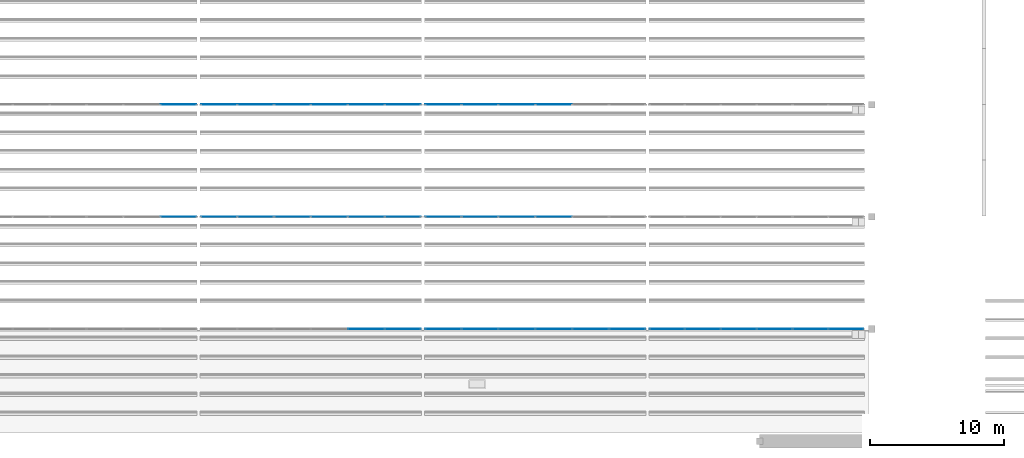
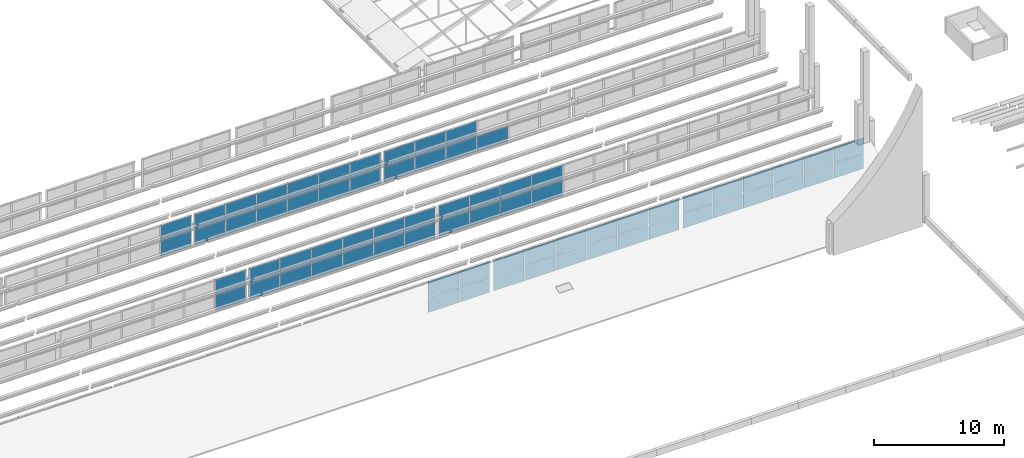
# One storey, part 83 of 116: 71 plates, 9 elements without a shape of their own.
"""IFC4 building model written with IfcOpenShell, lengths in metres."""

from ifc_helpers import new_model, si_unit, direction, frame, origin, origin_2d, place, context, subcontext, project, spatial, rectangle, extrude, material, layer, layer_set, type_object, element, aggregate, save


model = new_model("IFC4")

# Units and contexts
model_context = context("Model", 3, precision=1e-05, world=origin(), true_north=direction((0.0, 1.0)))
body_context = subcontext(model_context, "Body", "Model", "MODEL_VIEW")
ifc_project = project(units=[si_unit("LENGTHUNIT", "METRE"), si_unit("AREAUNIT", "SQUARE_METRE"), si_unit("VOLUMEUNIT", "CUBIC_METRE"), si_unit("PLANEANGLEUNIT", "RADIAN"), si_unit("MASSUNIT", "GRAM", prefix="KILO")], contexts=[model_context])

# Site, building, storey
site_placement = place(None, origin())
site = spatial("IfcSite", under=ifc_project, at=site_placement, CompositionType="ELEMENT")
building_placement = place(site_placement, origin())
building = spatial("IfcBuilding", under=site, at=building_placement, Name="Fescue Hill Polytechnic", CompositionType="ELEMENT")
storey_placement = place(building_placement, frame((0.0, 0.0, 13.5)))
storey = spatial("IfcBuildingStorey", under=building, at=storey_placement, Name="L03", CompositionType="ELEMENT", Elevation=13.5)

# Curtain wall, plates
ifc_material_1 = material(Name="Aluminium and glass", Category="aluminium")
curtain_wall_type = type_object("IfcCurtainWallType", Name="Sawtooth north glazing curtain wall", PredefinedType="NOTDEFINED", material=ifc_material_1)
curtain_wall_1_placement = place(storey_placement, origin())
curtain_wall_1 = element("IfcCurtainWall", 1, at=curtain_wall_1_placement, inside=storey, type_object=curtain_wall_type, Name="Sawtooth 1 north glazing bay 5", PredefinedType="NOTDEFINED")
ifc_material_2 = material(Name="Glass", Category="glass")
ifc_layer = layer(ifc_material_2, 0.028076171875)
ifc_layer_set = layer_set([ifc_layer], Name="Glass")
plate_type = type_object("IfcPlateType", Name="Curtain wall glazing panel 28", PredefinedType="CURTAIN_PANEL", material=ifc_layer_set)
plate_1_placement = place(storey_placement, frame((79.739990234375, 25.199951171875, 0.06005859375), z_axis=(0.0, 0.0, 1.0), x_axis=(1.0, 0.0, 0.0)))
plate_1 = element("IfcPlate", 2, at=plate_1_placement, type_object=plate_type, Name="CW5 panel 5.1", PredefinedType="CURTAIN_PANEL", context=body_context, shape_type="SweptSolid", body=[
    extrude(rectangle(XDim=2.699951171875, YDim=0.028076171875, at=origin_2d()), origin(), (0.0, 0.0, 1.0), 1.409912109375),
])
plate_2_placement = place(storey_placement, frame((79.739990234375, 25.199951171875, 1.5302734375), z_axis=(0.0, 0.0, 1.0), x_axis=(1.0, 0.0, 0.0)))
plate_2 = element("IfcPlate", 3, at=plate_2_placement, type_object=plate_type, Name="CW5 panel 5.2", PredefinedType="CURTAIN_PANEL", context=body_context, shape_type="SweptSolid", body=[
    extrude(rectangle(XDim=2.699951171875, YDim=0.028076171875, at=origin_2d()), origin(), (0.0, 0.0, 1.0), 1.409912109375),
])
plate_3_placement = place(storey_placement, frame((82.485107421875, 25.199951171875, 0.06005859375), z_axis=(0.0, 0.0, 1.0), x_axis=(1.0, 0.0, 0.0)))
plate_3 = element("IfcPlate", 4, at=plate_3_placement, type_object=plate_type, Name="CW5 panel 6.1", PredefinedType="CURTAIN_PANEL", context=body_context, shape_type="SweptSolid", body=[
    extrude(rectangle(XDim=2.669921875, YDim=0.028076171875, at=origin_2d()), origin(), (0.0, 0.0, 1.0), 1.409912109375),
])
plate_4_placement = place(storey_placement, frame((82.485107421875, 25.199951171875, 1.5302734375), z_axis=(0.0, 0.0, 1.0), x_axis=(1.0, 0.0, 0.0)))
plate_4 = element("IfcPlate", 5, at=plate_4_placement, type_object=plate_type, Name="CW5 panel 6.2", PredefinedType="CURTAIN_PANEL", context=body_context, shape_type="SweptSolid", body=[
    extrude(rectangle(XDim=2.669921875, YDim=0.028076171875, at=origin_2d()), origin(), (0.0, 0.0, 1.0), 1.409912109375),
])
aggregate(curtain_wall_1, [plate_1, plate_2, plate_3, plate_4])

curtain_wall_2_placement = place(storey_placement, origin())
curtain_wall_2 = element("IfcCurtainWall", 6, at=curtain_wall_2_placement, inside=storey, type_object=curtain_wall_type, Name="Sawtooth 1 north glazing bay 6", PredefinedType="NOTDEFINED")
plate_5_placement = place(storey_placement, frame((85.514892578125, 25.199951171875, 0.06005859375), z_axis=(0.0, 0.0, 1.0), x_axis=(1.0, 0.0, 0.0)))
plate_5 = element("IfcPlate", 7, at=plate_5_placement, type_object=plate_type, Name="CW6 panel 1.1", PredefinedType="CURTAIN_PANEL", context=body_context, shape_type="SweptSolid", body=[
    extrude(rectangle(XDim=2.669921875, YDim=0.028076171875, at=origin_2d()), origin(), (0.0, 0.0, 1.0), 1.409912109375),
])
plate_6_placement = place(storey_placement, frame((85.514892578125, 25.199951171875, 1.5302734375), z_axis=(0.0, 0.0, 1.0), x_axis=(1.0, 0.0, 0.0)))
plate_6 = element("IfcPlate", 8, at=plate_6_placement, type_object=plate_type, Name="CW6 panel 1.2", PredefinedType="CURTAIN_PANEL", context=body_context, shape_type="SweptSolid", body=[
    extrude(rectangle(XDim=2.669921875, YDim=0.028076171875, at=origin_2d()), origin(), (0.0, 0.0, 1.0), 1.409912109375),
])
plate_7_placement = place(storey_placement, frame((88.260009765625, 25.199951171875, 0.06005859375), z_axis=(0.0, 0.0, 1.0), x_axis=(1.0, 0.0, 0.0)))
plate_7 = element("IfcPlate", 9, at=plate_7_placement, type_object=plate_type, Name="CW6 panel 2.1", PredefinedType="CURTAIN_PANEL", context=body_context, shape_type="SweptSolid", body=[
    extrude(rectangle(XDim=2.699951171875, YDim=0.028076171875, at=origin_2d()), origin(), (0.0, 0.0, 1.0), 1.409912109375),
])
plate_8_placement = place(storey_placement, frame((88.260009765625, 25.199951171875, 1.5302734375), z_axis=(0.0, 0.0, 1.0), x_axis=(1.0, 0.0, 0.0)))
plate_8 = element("IfcPlate", 10, at=plate_8_placement, type_object=plate_type, Name="CW6 panel 2.2", PredefinedType="CURTAIN_PANEL", context=body_context, shape_type="SweptSolid", body=[
    extrude(rectangle(XDim=2.699951171875, YDim=0.028076171875, at=origin_2d()), origin(), (0.0, 0.0, 1.0), 1.409912109375),
])
plate_9_placement = place(storey_placement, frame((91.02001953125, 25.199951171875, 0.06005859375), z_axis=(0.0, 0.0, 1.0), x_axis=(1.0, 0.0, 0.0)))
plate_9 = element("IfcPlate", 11, at=plate_9_placement, type_object=plate_type, Name="CW6 panel 3.1", PredefinedType="CURTAIN_PANEL", context=body_context, shape_type="SweptSolid", body=[
    extrude(rectangle(XDim=2.699951171875, YDim=0.028076171875, at=origin_2d()), origin(), (0.0, 0.0, 1.0), 1.409912109375),
])
plate_10_placement = place(storey_placement, frame((91.02001953125, 25.199951171875, 1.5302734375), z_axis=(0.0, 0.0, 1.0), x_axis=(1.0, 0.0, 0.0)))
plate_10 = element("IfcPlate", 12, at=plate_10_placement, type_object=plate_type, Name="CW6 panel 3.2", PredefinedType="CURTAIN_PANEL", context=body_context, shape_type="SweptSolid", body=[
    extrude(rectangle(XDim=2.699951171875, YDim=0.028076171875, at=origin_2d()), origin(), (0.0, 0.0, 1.0), 1.409912109375),
])
plate_11_placement = place(storey_placement, frame((93.780029296875, 25.199951171875, 0.06005859375), z_axis=(0.0, 0.0, 1.0), x_axis=(1.0, 0.0, 0.0)))
plate_11 = element("IfcPlate", 13, at=plate_11_placement, type_object=plate_type, Name="CW6 panel 4.1", PredefinedType="CURTAIN_PANEL", context=body_context, shape_type="SweptSolid", body=[
    extrude(rectangle(XDim=2.699951171875, YDim=0.028076171875, at=origin_2d()), origin(), (0.0, 0.0, 1.0), 1.409912109375),
])
plate_12_placement = place(storey_placement, frame((93.780029296875, 25.199951171875, 1.5302734375), z_axis=(0.0, 0.0, 1.0), x_axis=(1.0, 0.0, 0.0)))
plate_12 = element("IfcPlate", 14, at=plate_12_placement, type_object=plate_type, Name="CW6 panel 4.2", PredefinedType="CURTAIN_PANEL", context=body_context, shape_type="SweptSolid", body=[
    extrude(rectangle(XDim=2.699951171875, YDim=0.028076171875, at=origin_2d()), origin(), (0.0, 0.0, 1.0), 1.409912109375),
])
plate_13_placement = place(storey_placement, frame((96.5400390625, 25.199951171875, 0.06005859375), z_axis=(0.0, 0.0, 1.0), x_axis=(1.0, 0.0, 0.0)))
plate_13 = element("IfcPlate", 15, at=plate_13_placement, type_object=plate_type, Name="CW6 panel 5.1", PredefinedType="CURTAIN_PANEL", context=body_context, shape_type="SweptSolid", body=[
    extrude(rectangle(XDim=2.699951171875, YDim=0.028076171875, at=origin_2d()), origin(), (0.0, 0.0, 1.0), 1.409912109375),
])
plate_14_placement = place(storey_placement, frame((96.5400390625, 25.199951171875, 1.5302734375), z_axis=(0.0, 0.0, 1.0), x_axis=(1.0, 0.0, 0.0)))
plate_14 = element("IfcPlate", 16, at=plate_14_placement, type_object=plate_type, Name="CW6 panel 5.2", PredefinedType="CURTAIN_PANEL", context=body_context, shape_type="SweptSolid", body=[
    extrude(rectangle(XDim=2.699951171875, YDim=0.028076171875, at=origin_2d()), origin(), (0.0, 0.0, 1.0), 1.409912109375),
])
plate_15_placement = place(storey_placement, frame((99.284912109375, 25.199951171875, 0.06005859375), z_axis=(0.0, 0.0, 1.0), x_axis=(1.0, 0.0, 0.0)))
plate_15 = element("IfcPlate", 17, at=plate_15_placement, type_object=plate_type, Name="CW6 panel 6.1", PredefinedType="CURTAIN_PANEL", context=body_context, shape_type="SweptSolid", body=[
    extrude(rectangle(XDim=2.669921875, YDim=0.028076171875, at=origin_2d()), origin(), (0.0, 0.0, 1.0), 1.409912109375),
])
plate_16_placement = place(storey_placement, frame((99.284912109375, 25.199951171875, 1.5302734375), z_axis=(0.0, 0.0, 1.0), x_axis=(1.0, 0.0, 0.0)))
plate_16 = element("IfcPlate", 18, at=plate_16_placement, type_object=plate_type, Name="CW6 panel 6.2", PredefinedType="CURTAIN_PANEL", context=body_context, shape_type="SweptSolid", body=[
    extrude(rectangle(XDim=2.669921875, YDim=0.028076171875, at=origin_2d()), origin(), (0.0, 0.0, 1.0), 1.409912109375),
])
aggregate(curtain_wall_2, [plate_5, plate_6, plate_7, plate_8, plate_9, plate_10, plate_11, plate_12, plate_13, plate_14, plate_15, plate_16])

curtain_wall_3_placement = place(storey_placement, origin())
curtain_wall_3 = element("IfcCurtainWall", 19, at=curtain_wall_3_placement, inside=storey, type_object=curtain_wall_type, Name="Sawtooth 1 north glazing bay 7", PredefinedType="NOTDEFINED")
plate_17_placement = place(storey_placement, frame((102.277587890625, 25.199951171875, 0.06005859375), z_axis=(0.0, 0.0, 1.0), x_axis=(1.0, 0.0, 0.0)))
plate_17 = element("IfcPlate", 20, at=plate_17_placement, type_object=plate_type, Name="CW7 panel 1.1", PredefinedType="CURTAIN_PANEL", context=body_context, shape_type="SweptSolid", body=[
    extrude(rectangle(XDim=2.594970703125, YDim=0.028076171875, at=origin_2d()), origin(), (0.0, 0.0, 1.0), 1.409912109375),
])
plate_18_placement = place(storey_placement, frame((102.277587890625, 25.199951171875, 1.5302734375), z_axis=(0.0, 0.0, 1.0), x_axis=(1.0, 0.0, 0.0)))
plate_18 = element("IfcPlate", 21, at=plate_18_placement, type_object=plate_type, Name="CW7 panel 1.2", PredefinedType="CURTAIN_PANEL", context=body_context, shape_type="SweptSolid", body=[
    extrude(rectangle(XDim=2.594970703125, YDim=0.028076171875, at=origin_2d()), origin(), (0.0, 0.0, 1.0), 1.409912109375),
])
plate_19_placement = place(storey_placement, frame((104.947509765625, 25.199951171875, 0.06005859375), z_axis=(0.0, 0.0, 1.0), x_axis=(1.0, 0.0, 0.0)))
plate_19 = element("IfcPlate", 22, at=plate_19_placement, type_object=plate_type, Name="CW7 panel 2.1", PredefinedType="CURTAIN_PANEL", context=body_context, shape_type="SweptSolid", body=[
    extrude(rectangle(XDim=2.625, YDim=0.028076171875, at=origin_2d()), origin(), (0.0, 0.0, 1.0), 1.409912109375),
])
plate_20_placement = place(storey_placement, frame((104.947509765625, 25.199951171875, 1.5302734375), z_axis=(0.0, 0.0, 1.0), x_axis=(1.0, 0.0, 0.0)))
plate_20 = element("IfcPlate", 23, at=plate_20_placement, type_object=plate_type, Name="CW7 panel 2.2", PredefinedType="CURTAIN_PANEL", context=body_context, shape_type="SweptSolid", body=[
    extrude(rectangle(XDim=2.625, YDim=0.028076171875, at=origin_2d()), origin(), (0.0, 0.0, 1.0), 1.409912109375),
])
plate_21_placement = place(storey_placement, frame((107.632568359375, 25.199951171875, 0.06005859375), z_axis=(0.0, 0.0, 1.0), x_axis=(1.0, 0.0, 0.0)))
plate_21 = element("IfcPlate", 24, at=plate_21_placement, type_object=plate_type, Name="CW7 panel 3.1", PredefinedType="CURTAIN_PANEL", context=body_context, shape_type="SweptSolid", body=[
    extrude(rectangle(XDim=2.625, YDim=0.028076171875, at=origin_2d()), origin(), (0.0, 0.0, 1.0), 1.409912109375),
])
plate_22_placement = place(storey_placement, frame((107.632568359375, 25.199951171875, 1.5302734375), z_axis=(0.0, 0.0, 1.0), x_axis=(1.0, 0.0, 0.0)))
plate_22 = element("IfcPlate", 25, at=plate_22_placement, type_object=plate_type, Name="CW7 panel 3.2", PredefinedType="CURTAIN_PANEL", context=body_context, shape_type="SweptSolid", body=[
    extrude(rectangle(XDim=2.625, YDim=0.028076171875, at=origin_2d()), origin(), (0.0, 0.0, 1.0), 1.409912109375),
])
plate_23_placement = place(storey_placement, frame((110.3173828125, 25.199951171875, 0.06005859375), z_axis=(0.0, 0.0, 1.0), x_axis=(1.0, 0.0, 0.0)))
plate_23 = element("IfcPlate", 26, at=plate_23_placement, type_object=plate_type, Name="CW7 panel 4.1", PredefinedType="CURTAIN_PANEL", context=body_context, shape_type="SweptSolid", body=[
    extrude(rectangle(XDim=2.625, YDim=0.028076171875, at=origin_2d()), origin(), (0.0, 0.0, 1.0), 1.409912109375),
])
plate_24_placement = place(storey_placement, frame((110.3173828125, 25.199951171875, 1.5302734375), z_axis=(0.0, 0.0, 1.0), x_axis=(1.0, 0.0, 0.0)))
plate_24 = element("IfcPlate", 27, at=plate_24_placement, type_object=plate_type, Name="CW7 panel 4.2", PredefinedType="CURTAIN_PANEL", context=body_context, shape_type="SweptSolid", body=[
    extrude(rectangle(XDim=2.625, YDim=0.028076171875, at=origin_2d()), origin(), (0.0, 0.0, 1.0), 1.409912109375),
])
plate_25_placement = place(storey_placement, frame((113.00244140625, 25.199951171875, 0.06005859375), z_axis=(0.0, 0.0, 1.0), x_axis=(1.0, 0.0, 0.0)))
plate_25 = element("IfcPlate", 28, at=plate_25_placement, type_object=plate_type, Name="CW7 panel 5.1", PredefinedType="CURTAIN_PANEL", context=body_context, shape_type="SweptSolid", body=[
    extrude(rectangle(XDim=2.625, YDim=0.028076171875, at=origin_2d()), origin(), (0.0, 0.0, 1.0), 1.409912109375),
])
plate_26_placement = place(storey_placement, frame((113.00244140625, 25.199951171875, 1.5302734375), z_axis=(0.0, 0.0, 1.0), x_axis=(1.0, 0.0, 0.0)))
plate_26 = element("IfcPlate", 29, at=plate_26_placement, type_object=plate_type, Name="CW7 panel 5.2", PredefinedType="CURTAIN_PANEL", context=body_context, shape_type="SweptSolid", body=[
    extrude(rectangle(XDim=2.625, YDim=0.028076171875, at=origin_2d()), origin(), (0.0, 0.0, 1.0), 1.409912109375),
])
plate_27_placement = place(storey_placement, frame((115.672607421875, 25.199951171875, 0.06005859375), z_axis=(0.0, 0.0, 1.0), x_axis=(1.0, 0.0, 0.0)))
plate_27 = element("IfcPlate", 30, at=plate_27_placement, type_object=plate_type, Name="CW7 panel 6.1", PredefinedType="CURTAIN_PANEL", context=body_context, shape_type="SweptSolid", body=[
    extrude(rectangle(XDim=2.594970703125, YDim=0.028076171875, at=origin_2d()), origin(), (0.0, 0.0, 1.0), 1.409912109375),
])
plate_28_placement = place(storey_placement, frame((115.672607421875, 25.199951171875, 1.5302734375), z_axis=(0.0, 0.0, 1.0), x_axis=(1.0, 0.0, 0.0)))
plate_28 = element("IfcPlate", 31, at=plate_28_placement, type_object=plate_type, Name="CW7 panel 6.2", PredefinedType="CURTAIN_PANEL", context=body_context, shape_type="SweptSolid", body=[
    extrude(rectangle(XDim=2.594970703125, YDim=0.028076171875, at=origin_2d()), origin(), (0.0, 0.0, 1.0), 1.409912109375),
])
aggregate(curtain_wall_3, [plate_17, plate_18, plate_19, plate_20, plate_21, plate_22, plate_23, plate_24, plate_25, plate_26, plate_27, plate_28])

curtain_wall_4_placement = place(storey_placement, origin())
curtain_wall_4 = element("IfcCurtainWall", 32, at=curtain_wall_4_placement, inside=storey, type_object=curtain_wall_type, Name="Sawtooth 2 north glazing bay 4", PredefinedType="NOTDEFINED")
plate_29_placement = place(storey_placement, frame((65.68505859375, 33.60009765625, 0.06005859375), z_axis=(0.0, 0.0, 1.0), x_axis=(1.0, 0.0, 0.0)))
plate_29 = element("IfcPlate", 33, at=plate_29_placement, type_object=plate_type, Name="CW11 panel 6.1", PredefinedType="CURTAIN_PANEL", context=body_context, shape_type="SweptSolid", body=[
    extrude(rectangle(XDim=2.669921875, YDim=0.028076171875, at=origin_2d()), origin(), (0.0, 0.0, 1.0), 1.409912109375),
])
plate_30_placement = place(storey_placement, frame((65.68505859375, 33.60009765625, 1.5302734375), z_axis=(0.0, 0.0, 1.0), x_axis=(1.0, 0.0, 0.0)))
plate_30 = element("IfcPlate", 34, at=plate_30_placement, type_object=plate_type, Name="CW11 panel 6.2", PredefinedType="CURTAIN_PANEL", context=body_context, shape_type="SweptSolid", body=[
    extrude(rectangle(XDim=2.669921875, YDim=0.028076171875, at=origin_2d()), origin(), (0.0, 0.0, 1.0), 1.409912109375),
])
aggregate(curtain_wall_4, [plate_29, plate_30])

curtain_wall_5_placement = place(storey_placement, origin())
curtain_wall_5 = element("IfcCurtainWall", 35, at=curtain_wall_5_placement, inside=storey, type_object=curtain_wall_type, Name="Sawtooth 2 north glazing bay 5", PredefinedType="NOTDEFINED")
plate_31_placement = place(storey_placement, frame((68.715087890625, 33.60009765625, 0.06005859375), z_axis=(0.0, 0.0, 1.0), x_axis=(1.0, 0.0, 0.0)))
plate_31 = element("IfcPlate", 36, at=plate_31_placement, type_object=plate_type, Name="CW12 panel 1.1", PredefinedType="CURTAIN_PANEL", context=body_context, shape_type="SweptSolid", body=[
    extrude(rectangle(XDim=2.669921875, YDim=0.028076171875, at=origin_2d()), origin(), (0.0, 0.0, 1.0), 1.409912109375),
])
plate_32_placement = place(storey_placement, frame((68.715087890625, 33.60009765625, 1.5302734375), z_axis=(0.0, 0.0, 1.0), x_axis=(1.0, 0.0, 0.0)))
plate_32 = element("IfcPlate", 37, at=plate_32_placement, type_object=plate_type, Name="CW12 panel 1.2", PredefinedType="CURTAIN_PANEL", context=body_context, shape_type="SweptSolid", body=[
    extrude(rectangle(XDim=2.669921875, YDim=0.028076171875, at=origin_2d()), origin(), (0.0, 0.0, 1.0), 1.409912109375),
])
plate_33_placement = place(storey_placement, frame((71.4599609375, 33.60009765625, 0.06005859375), z_axis=(0.0, 0.0, 1.0), x_axis=(1.0, 0.0, 0.0)))
plate_33 = element("IfcPlate", 38, at=plate_33_placement, type_object=plate_type, Name="CW12 panel 2.1", PredefinedType="CURTAIN_PANEL", context=body_context, shape_type="SweptSolid", body=[
    extrude(rectangle(XDim=2.699951171875, YDim=0.028076171875, at=origin_2d()), origin(), (0.0, 0.0, 1.0), 1.409912109375),
])
plate_34_placement = place(storey_placement, frame((71.4599609375, 33.60009765625, 1.5302734375), z_axis=(0.0, 0.0, 1.0), x_axis=(1.0, 0.0, 0.0)))
plate_34 = element("IfcPlate", 39, at=plate_34_placement, type_object=plate_type, Name="CW12 panel 2.2", PredefinedType="CURTAIN_PANEL", context=body_context, shape_type="SweptSolid", body=[
    extrude(rectangle(XDim=2.699951171875, YDim=0.028076171875, at=origin_2d()), origin(), (0.0, 0.0, 1.0), 1.409912109375),
])
plate_35_placement = place(storey_placement, frame((74.219970703125, 33.60009765625, 0.06005859375), z_axis=(0.0, 0.0, 1.0), x_axis=(1.0, 0.0, 0.0)))
plate_35 = element("IfcPlate", 40, at=plate_35_placement, type_object=plate_type, Name="CW12 panel 3.1", PredefinedType="CURTAIN_PANEL", context=body_context, shape_type="SweptSolid", body=[
    extrude(rectangle(XDim=2.699951171875, YDim=0.028076171875, at=origin_2d()), origin(), (0.0, 0.0, 1.0), 1.409912109375),
])
plate_36_placement = place(storey_placement, frame((74.219970703125, 33.60009765625, 1.5302734375), z_axis=(0.0, 0.0, 1.0), x_axis=(1.0, 0.0, 0.0)))
plate_36 = element("IfcPlate", 41, at=plate_36_placement, type_object=plate_type, Name="CW12 panel 3.2", PredefinedType="CURTAIN_PANEL", context=body_context, shape_type="SweptSolid", body=[
    extrude(rectangle(XDim=2.699951171875, YDim=0.028076171875, at=origin_2d()), origin(), (0.0, 0.0, 1.0), 1.409912109375),
])
plate_37_placement = place(storey_placement, frame((76.97998046875, 33.60009765625, 0.06005859375), z_axis=(0.0, 0.0, 1.0), x_axis=(1.0, 0.0, 0.0)))
plate_37 = element("IfcPlate", 42, at=plate_37_placement, type_object=plate_type, Name="CW12 panel 4.1", PredefinedType="CURTAIN_PANEL", context=body_context, shape_type="SweptSolid", body=[
    extrude(rectangle(XDim=2.699951171875, YDim=0.028076171875, at=origin_2d()), origin(), (0.0, 0.0, 1.0), 1.409912109375),
])
plate_38_placement = place(storey_placement, frame((76.97998046875, 33.60009765625, 1.5302734375), z_axis=(0.0, 0.0, 1.0), x_axis=(1.0, 0.0, 0.0)))
plate_38 = element("IfcPlate", 43, at=plate_38_placement, type_object=plate_type, Name="CW12 panel 4.2", PredefinedType="CURTAIN_PANEL", context=body_context, shape_type="SweptSolid", body=[
    extrude(rectangle(XDim=2.699951171875, YDim=0.028076171875, at=origin_2d()), origin(), (0.0, 0.0, 1.0), 1.409912109375),
])
plate_39_placement = place(storey_placement, frame((79.739990234375, 33.60009765625, 0.06005859375), z_axis=(0.0, 0.0, 1.0), x_axis=(1.0, 0.0, 0.0)))
plate_39 = element("IfcPlate", 44, at=plate_39_placement, type_object=plate_type, Name="CW12 panel 5.1", PredefinedType="CURTAIN_PANEL", context=body_context, shape_type="SweptSolid", body=[
    extrude(rectangle(XDim=2.699951171875, YDim=0.028076171875, at=origin_2d()), origin(), (0.0, 0.0, 1.0), 1.409912109375),
])
plate_40_placement = place(storey_placement, frame((79.739990234375, 33.60009765625, 1.5302734375), z_axis=(0.0, 0.0, 1.0), x_axis=(1.0, 0.0, 0.0)))
plate_40 = element("IfcPlate", 45, at=plate_40_placement, type_object=plate_type, Name="CW12 panel 5.2", PredefinedType="CURTAIN_PANEL", context=body_context, shape_type="SweptSolid", body=[
    extrude(rectangle(XDim=2.699951171875, YDim=0.028076171875, at=origin_2d()), origin(), (0.0, 0.0, 1.0), 1.409912109375),
])
plate_41_placement = place(storey_placement, frame((82.485107421875, 33.60009765625, 0.06005859375), z_axis=(0.0, 0.0, 1.0), x_axis=(1.0, 0.0, 0.0)))
plate_41 = element("IfcPlate", 46, at=plate_41_placement, type_object=plate_type, Name="CW12 panel 6.1", PredefinedType="CURTAIN_PANEL", context=body_context, shape_type="SweptSolid", body=[
    extrude(rectangle(XDim=2.669921875, YDim=0.028076171875, at=origin_2d()), origin(), (0.0, 0.0, 1.0), 1.409912109375),
])
plate_42_placement = place(storey_placement, frame((82.485107421875, 33.60009765625, 1.5302734375), z_axis=(0.0, 0.0, 1.0), x_axis=(1.0, 0.0, 0.0)))
plate_42 = element("IfcPlate", 47, at=plate_42_placement, type_object=plate_type, Name="CW12 panel 6.2", PredefinedType="CURTAIN_PANEL", context=body_context, shape_type="SweptSolid", body=[
    extrude(rectangle(XDim=2.669921875, YDim=0.028076171875, at=origin_2d()), origin(), (0.0, 0.0, 1.0), 1.409912109375),
])
aggregate(curtain_wall_5, [plate_31, plate_32, plate_33, plate_34, plate_35, plate_36, plate_37, plate_38, plate_39, plate_40, plate_41, plate_42])

curtain_wall_6_placement = place(storey_placement, origin())
curtain_wall_6 = element("IfcCurtainWall", 48, at=curtain_wall_6_placement, inside=storey, type_object=curtain_wall_type, Name="Sawtooth 2 north glazing bay 6", PredefinedType="NOTDEFINED")
plate_43_placement = place(storey_placement, frame((85.514892578125, 33.60009765625, 0.06005859375), z_axis=(0.0, 0.0, 1.0), x_axis=(1.0, 0.0, 0.0)))
plate_43 = element("IfcPlate", 49, at=plate_43_placement, type_object=plate_type, Name="CW13 panel 1.1", PredefinedType="CURTAIN_PANEL", context=body_context, shape_type="SweptSolid", body=[
    extrude(rectangle(XDim=2.669921875, YDim=0.028076171875, at=origin_2d()), origin(), (0.0, 0.0, 1.0), 1.409912109375),
])
plate_44_placement = place(storey_placement, frame((85.514892578125, 33.60009765625, 1.5302734375), z_axis=(0.0, 0.0, 1.0), x_axis=(1.0, 0.0, 0.0)))
plate_44 = element("IfcPlate", 50, at=plate_44_placement, type_object=plate_type, Name="CW13 panel 1.2", PredefinedType="CURTAIN_PANEL", context=body_context, shape_type="SweptSolid", body=[
    extrude(rectangle(XDim=2.669921875, YDim=0.028076171875, at=origin_2d()), origin(), (0.0, 0.0, 1.0), 1.409912109375),
])
plate_45_placement = place(storey_placement, frame((88.260009765625, 33.60009765625, 0.06005859375), z_axis=(0.0, 0.0, 1.0), x_axis=(1.0, 0.0, 0.0)))
plate_45 = element("IfcPlate", 51, at=plate_45_placement, type_object=plate_type, Name="CW13 panel 2.1", PredefinedType="CURTAIN_PANEL", context=body_context, shape_type="SweptSolid", body=[
    extrude(rectangle(XDim=2.699951171875, YDim=0.028076171875, at=origin_2d()), origin(), (0.0, 0.0, 1.0), 1.409912109375),
])
plate_46_placement = place(storey_placement, frame((88.260009765625, 33.60009765625, 1.5302734375), z_axis=(0.0, 0.0, 1.0), x_axis=(1.0, 0.0, 0.0)))
plate_46 = element("IfcPlate", 52, at=plate_46_placement, type_object=plate_type, Name="CW13 panel 2.2", PredefinedType="CURTAIN_PANEL", context=body_context, shape_type="SweptSolid", body=[
    extrude(rectangle(XDim=2.699951171875, YDim=0.028076171875, at=origin_2d()), origin(), (0.0, 0.0, 1.0), 1.409912109375),
])
plate_47_placement = place(storey_placement, frame((91.02001953125, 33.60009765625, 0.06005859375), z_axis=(0.0, 0.0, 1.0), x_axis=(1.0, 0.0, 0.0)))
plate_47 = element("IfcPlate", 53, at=plate_47_placement, type_object=plate_type, Name="CW13 panel 3.1", PredefinedType="CURTAIN_PANEL", context=body_context, shape_type="SweptSolid", body=[
    extrude(rectangle(XDim=2.699951171875, YDim=0.028076171875, at=origin_2d()), origin(), (0.0, 0.0, 1.0), 1.409912109375),
])
plate_48_placement = place(storey_placement, frame((91.02001953125, 33.60009765625, 1.5302734375), z_axis=(0.0, 0.0, 1.0), x_axis=(1.0, 0.0, 0.0)))
plate_48 = element("IfcPlate", 54, at=plate_48_placement, type_object=plate_type, Name="CW13 panel 3.2", PredefinedType="CURTAIN_PANEL", context=body_context, shape_type="SweptSolid", body=[
    extrude(rectangle(XDim=2.699951171875, YDim=0.028076171875, at=origin_2d()), origin(), (0.0, 0.0, 1.0), 1.409912109375),
])
plate_49_placement = place(storey_placement, frame((93.780029296875, 33.60009765625, 0.06005859375), z_axis=(0.0, 0.0, 1.0), x_axis=(1.0, 0.0, 0.0)))
plate_49 = element("IfcPlate", 55, at=plate_49_placement, type_object=plate_type, Name="CW13 panel 4.1", PredefinedType="CURTAIN_PANEL", context=body_context, shape_type="SweptSolid", body=[
    extrude(rectangle(XDim=2.699951171875, YDim=0.028076171875, at=origin_2d()), origin(), (0.0, 0.0, 1.0), 1.409912109375),
])
plate_50_placement = place(storey_placement, frame((93.780029296875, 33.60009765625, 1.5302734375), z_axis=(0.0, 0.0, 1.0), x_axis=(1.0, 0.0, 0.0)))
plate_50 = element("IfcPlate", 56, at=plate_50_placement, type_object=plate_type, Name="CW13 panel 4.2", PredefinedType="CURTAIN_PANEL", context=body_context, shape_type="SweptSolid", body=[
    extrude(rectangle(XDim=2.699951171875, YDim=0.028076171875, at=origin_2d()), origin(), (0.0, 0.0, 1.0), 1.409912109375),
])
aggregate(curtain_wall_6, [plate_43, plate_44, plate_45, plate_46, plate_47, plate_48, plate_49, plate_50])

curtain_wall_7_placement = place(storey_placement, origin())
curtain_wall_7 = element("IfcCurtainWall", 57, at=curtain_wall_7_placement, inside=storey, type_object=curtain_wall_type, Name="Sawtooth 3 north glazing bay 4", PredefinedType="NOTDEFINED")
plate_51_placement = place(storey_placement, frame((65.68505859375, 42.0, 0.06005859375), z_axis=(0.0, 0.0, 1.0), x_axis=(1.0, 0.0, 0.0)))
plate_51 = element("IfcPlate", 58, at=plate_51_placement, type_object=plate_type, Name="CW18 panel 6.1", PredefinedType="CURTAIN_PANEL", context=body_context, shape_type="SweptSolid", body=[
    extrude(rectangle(XDim=2.669921875, YDim=0.028076171875, at=origin_2d()), origin(), (0.0, 0.0, 1.0), 1.409912109375),
])
plate_52_placement = place(storey_placement, frame((65.68505859375, 42.0, 1.5302734375), z_axis=(0.0, 0.0, 1.0), x_axis=(1.0, 0.0, 0.0)))
plate_52 = element("IfcPlate", 59, at=plate_52_placement, type_object=plate_type, Name="CW18 panel 6.2", PredefinedType="CURTAIN_PANEL", context=body_context, shape_type="SweptSolid", body=[
    extrude(rectangle(XDim=2.669921875, YDim=0.028076171875, at=origin_2d()), origin(), (0.0, 0.0, 1.0), 1.409912109375),
])
aggregate(curtain_wall_7, [plate_51, plate_52])

curtain_wall_8_placement = place(storey_placement, origin())
curtain_wall_8 = element("IfcCurtainWall", 60, at=curtain_wall_8_placement, inside=storey, type_object=curtain_wall_type, Name="Sawtooth 3 north glazing bay 5", PredefinedType="NOTDEFINED")
plate_53_placement = place(storey_placement, frame((68.715087890625, 42.0, 0.06005859375), z_axis=(0.0, 0.0, 1.0), x_axis=(1.0, 0.0, 0.0)))
plate_53 = element("IfcPlate", 61, at=plate_53_placement, type_object=plate_type, Name="CW19 panel 1.1", PredefinedType="CURTAIN_PANEL", context=body_context, shape_type="SweptSolid", body=[
    extrude(rectangle(XDim=2.669921875, YDim=0.028076171875, at=origin_2d()), origin(), (0.0, 0.0, 1.0), 1.409912109375),
])
plate_54_placement = place(storey_placement, frame((68.715087890625, 42.0, 1.5302734375), z_axis=(0.0, 0.0, 1.0), x_axis=(1.0, 0.0, 0.0)))
plate_54 = element("IfcPlate", 62, at=plate_54_placement, type_object=plate_type, Name="CW19 panel 1.2", PredefinedType="CURTAIN_PANEL", context=body_context, shape_type="SweptSolid", body=[
    extrude(rectangle(XDim=2.669921875, YDim=0.028076171875, at=origin_2d()), origin(), (0.0, 0.0, 1.0), 1.409912109375),
])
plate_55_placement = place(storey_placement, frame((71.4599609375, 42.0, 0.06005859375), z_axis=(0.0, 0.0, 1.0), x_axis=(1.0, 0.0, 0.0)))
plate_55 = element("IfcPlate", 63, at=plate_55_placement, type_object=plate_type, Name="CW19 panel 2.1", PredefinedType="CURTAIN_PANEL", context=body_context, shape_type="SweptSolid", body=[
    extrude(rectangle(XDim=2.699951171875, YDim=0.028076171875, at=origin_2d()), origin(), (0.0, 0.0, 1.0), 1.409912109375),
])
plate_56_placement = place(storey_placement, frame((71.4599609375, 42.0, 1.5302734375), z_axis=(0.0, 0.0, 1.0), x_axis=(1.0, 0.0, 0.0)))
plate_56 = element("IfcPlate", 64, at=plate_56_placement, type_object=plate_type, Name="CW19 panel 2.2", PredefinedType="CURTAIN_PANEL", context=body_context, shape_type="SweptSolid", body=[
    extrude(rectangle(XDim=2.699951171875, YDim=0.028076171875, at=origin_2d()), origin(), (0.0, 0.0, 1.0), 1.409912109375),
])
plate_57_placement = place(storey_placement, frame((74.219970703125, 42.0, 0.06005859375), z_axis=(0.0, 0.0, 1.0), x_axis=(1.0, 0.0, 0.0)))
plate_57 = element("IfcPlate", 65, at=plate_57_placement, type_object=plate_type, Name="CW19 panel 3.1", PredefinedType="CURTAIN_PANEL", context=body_context, shape_type="SweptSolid", body=[
    extrude(rectangle(XDim=2.699951171875, YDim=0.028076171875, at=origin_2d()), origin(), (0.0, 0.0, 1.0), 1.409912109375),
])
plate_58_placement = place(storey_placement, frame((74.219970703125, 42.0, 1.5302734375), z_axis=(0.0, 0.0, 1.0), x_axis=(1.0, 0.0, 0.0)))
plate_58 = element("IfcPlate", 66, at=plate_58_placement, type_object=plate_type, Name="CW19 panel 3.2", PredefinedType="CURTAIN_PANEL", context=body_context, shape_type="SweptSolid", body=[
    extrude(rectangle(XDim=2.699951171875, YDim=0.028076171875, at=origin_2d()), origin(), (0.0, 0.0, 1.0), 1.409912109375),
])
plate_59_placement = place(storey_placement, frame((76.97998046875, 42.0, 0.06005859375), z_axis=(0.0, 0.0, 1.0), x_axis=(1.0, 0.0, 0.0)))
plate_59 = element("IfcPlate", 67, at=plate_59_placement, type_object=plate_type, Name="CW19 panel 4.1", PredefinedType="CURTAIN_PANEL", context=body_context, shape_type="SweptSolid", body=[
    extrude(rectangle(XDim=2.699951171875, YDim=0.028076171875, at=origin_2d()), origin(), (0.0, 0.0, 1.0), 1.409912109375),
])
plate_60_placement = place(storey_placement, frame((76.97998046875, 42.0, 1.5302734375), z_axis=(0.0, 0.0, 1.0), x_axis=(1.0, 0.0, 0.0)))
plate_60 = element("IfcPlate", 68, at=plate_60_placement, type_object=plate_type, Name="CW19 panel 4.2", PredefinedType="CURTAIN_PANEL", context=body_context, shape_type="SweptSolid", body=[
    extrude(rectangle(XDim=2.699951171875, YDim=0.028076171875, at=origin_2d()), origin(), (0.0, 0.0, 1.0), 1.409912109375),
])
plate_61_placement = place(storey_placement, frame((79.739990234375, 42.0, 0.06005859375), z_axis=(0.0, 0.0, 1.0), x_axis=(1.0, 0.0, 0.0)))
plate_61 = element("IfcPlate", 69, at=plate_61_placement, type_object=plate_type, Name="CW19 panel 5.1", PredefinedType="CURTAIN_PANEL", context=body_context, shape_type="SweptSolid", body=[
    extrude(rectangle(XDim=2.699951171875, YDim=0.028076171875, at=origin_2d()), origin(), (0.0, 0.0, 1.0), 1.409912109375),
])
plate_62_placement = place(storey_placement, frame((79.739990234375, 42.0, 1.5302734375), z_axis=(0.0, 0.0, 1.0), x_axis=(1.0, 0.0, 0.0)))
plate_62 = element("IfcPlate", 70, at=plate_62_placement, type_object=plate_type, Name="CW19 panel 5.2", PredefinedType="CURTAIN_PANEL", context=body_context, shape_type="SweptSolid", body=[
    extrude(rectangle(XDim=2.699951171875, YDim=0.028076171875, at=origin_2d()), origin(), (0.0, 0.0, 1.0), 1.409912109375),
])
plate_63_placement = place(storey_placement, frame((82.485107421875, 42.0, 0.06005859375), z_axis=(0.0, 0.0, 1.0), x_axis=(1.0, 0.0, 0.0)))
plate_63 = element("IfcPlate", 71, at=plate_63_placement, type_object=plate_type, Name="CW19 panel 6.1", PredefinedType="CURTAIN_PANEL", context=body_context, shape_type="SweptSolid", body=[
    extrude(rectangle(XDim=2.669921875, YDim=0.028076171875, at=origin_2d()), origin(), (0.0, 0.0, 1.0), 1.409912109375),
])
plate_64_placement = place(storey_placement, frame((82.485107421875, 42.0, 1.5302734375), z_axis=(0.0, 0.0, 1.0), x_axis=(1.0, 0.0, 0.0)))
plate_64 = element("IfcPlate", 72, at=plate_64_placement, type_object=plate_type, Name="CW19 panel 6.2", PredefinedType="CURTAIN_PANEL", context=body_context, shape_type="SweptSolid", body=[
    extrude(rectangle(XDim=2.669921875, YDim=0.028076171875, at=origin_2d()), origin(), (0.0, 0.0, 1.0), 1.409912109375),
])
aggregate(curtain_wall_8, [plate_53, plate_54, plate_55, plate_56, plate_57, plate_58, plate_59, plate_60, plate_61, plate_62, plate_63, plate_64])

curtain_wall_9_placement = place(storey_placement, origin())
curtain_wall_9 = element("IfcCurtainWall", 73, at=curtain_wall_9_placement, inside=storey, type_object=curtain_wall_type, Name="Sawtooth 3 north glazing bay 6", PredefinedType="NOTDEFINED")
plate_65_placement = place(storey_placement, frame((85.514892578125, 42.0, 0.06005859375), z_axis=(0.0, 0.0, 1.0), x_axis=(1.0, 0.0, 0.0)))
plate_65 = element("IfcPlate", 74, at=plate_65_placement, type_object=plate_type, Name="CW20 panel 1.1", PredefinedType="CURTAIN_PANEL", context=body_context, shape_type="SweptSolid", body=[
    extrude(rectangle(XDim=2.669921875, YDim=0.028076171875, at=origin_2d()), origin(), (0.0, 0.0, 1.0), 1.409912109375),
])
plate_66_placement = place(storey_placement, frame((85.514892578125, 42.0, 1.5302734375), z_axis=(0.0, 0.0, 1.0), x_axis=(1.0, 0.0, 0.0)))
plate_66 = element("IfcPlate", 75, at=plate_66_placement, type_object=plate_type, Name="CW20 panel 1.2", PredefinedType="CURTAIN_PANEL", context=body_context, shape_type="SweptSolid", body=[
    extrude(rectangle(XDim=2.669921875, YDim=0.028076171875, at=origin_2d()), origin(), (0.0, 0.0, 1.0), 1.409912109375),
])
plate_67_placement = place(storey_placement, frame((88.260009765625, 42.0, 0.06005859375), z_axis=(0.0, 0.0, 1.0), x_axis=(1.0, 0.0, 0.0)))
plate_67 = element("IfcPlate", 76, at=plate_67_placement, type_object=plate_type, Name="CW20 panel 2.1", PredefinedType="CURTAIN_PANEL", context=body_context, shape_type="SweptSolid", body=[
    extrude(rectangle(XDim=2.699951171875, YDim=0.028076171875, at=origin_2d()), origin(), (0.0, 0.0, 1.0), 1.409912109375),
])
plate_68_placement = place(storey_placement, frame((88.260009765625, 42.0, 1.5302734375), z_axis=(0.0, 0.0, 1.0), x_axis=(1.0, 0.0, 0.0)))
plate_68 = element("IfcPlate", 77, at=plate_68_placement, type_object=plate_type, Name="CW20 panel 2.2", PredefinedType="CURTAIN_PANEL", context=body_context, shape_type="SweptSolid", body=[
    extrude(rectangle(XDim=2.699951171875, YDim=0.028076171875, at=origin_2d()), origin(), (0.0, 0.0, 1.0), 1.409912109375),
])
plate_69_placement = place(storey_placement, frame((91.02001953125, 42.0, 0.06005859375), z_axis=(0.0, 0.0, 1.0), x_axis=(1.0, 0.0, 0.0)))
plate_69 = element("IfcPlate", 78, at=plate_69_placement, type_object=plate_type, Name="CW20 panel 3.1", PredefinedType="CURTAIN_PANEL", context=body_context, shape_type="SweptSolid", body=[
    extrude(rectangle(XDim=2.699951171875, YDim=0.028076171875, at=origin_2d()), origin(), (0.0, 0.0, 1.0), 1.409912109375),
])
plate_70_placement = place(storey_placement, frame((91.02001953125, 42.0, 1.5302734375), z_axis=(0.0, 0.0, 1.0), x_axis=(1.0, 0.0, 0.0)))
plate_70 = element("IfcPlate", 79, at=plate_70_placement, type_object=plate_type, Name="CW20 panel 3.2", PredefinedType="CURTAIN_PANEL", context=body_context, shape_type="SweptSolid", body=[
    extrude(rectangle(XDim=2.699951171875, YDim=0.028076171875, at=origin_2d()), origin(), (0.0, 0.0, 1.0), 1.409912109375),
])
plate_71_placement = place(storey_placement, frame((93.780029296875, 42.0, 0.06005859375), z_axis=(0.0, 0.0, 1.0), x_axis=(1.0, 0.0, 0.0)))
plate_71 = element("IfcPlate", 80, at=plate_71_placement, type_object=plate_type, Name="CW20 panel 4.1", PredefinedType="CURTAIN_PANEL", context=body_context, shape_type="SweptSolid", body=[
    extrude(rectangle(XDim=2.699951171875, YDim=0.028076171875, at=origin_2d()), origin(), (0.0, 0.0, 1.0), 1.409912109375),
])
aggregate(curtain_wall_9, [plate_65, plate_66, plate_67, plate_68, plate_69, plate_70, plate_71])

save(model, "model.ifc")
